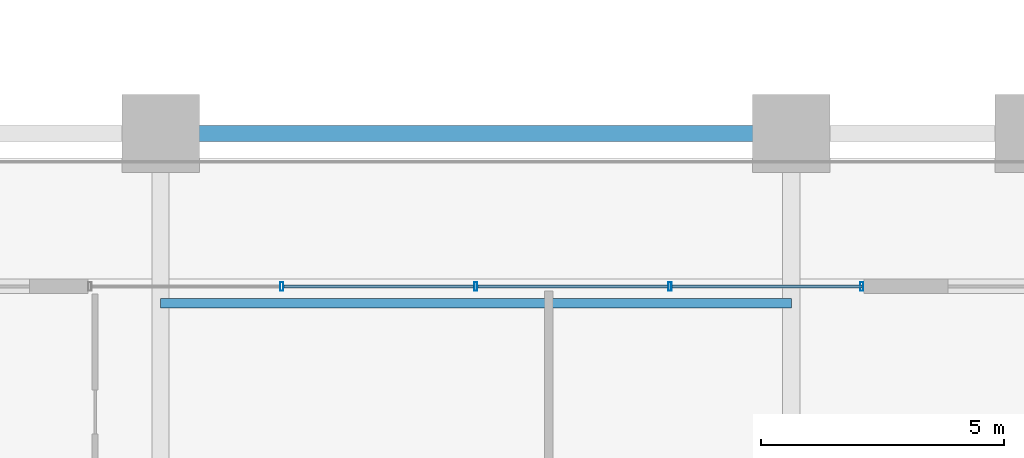
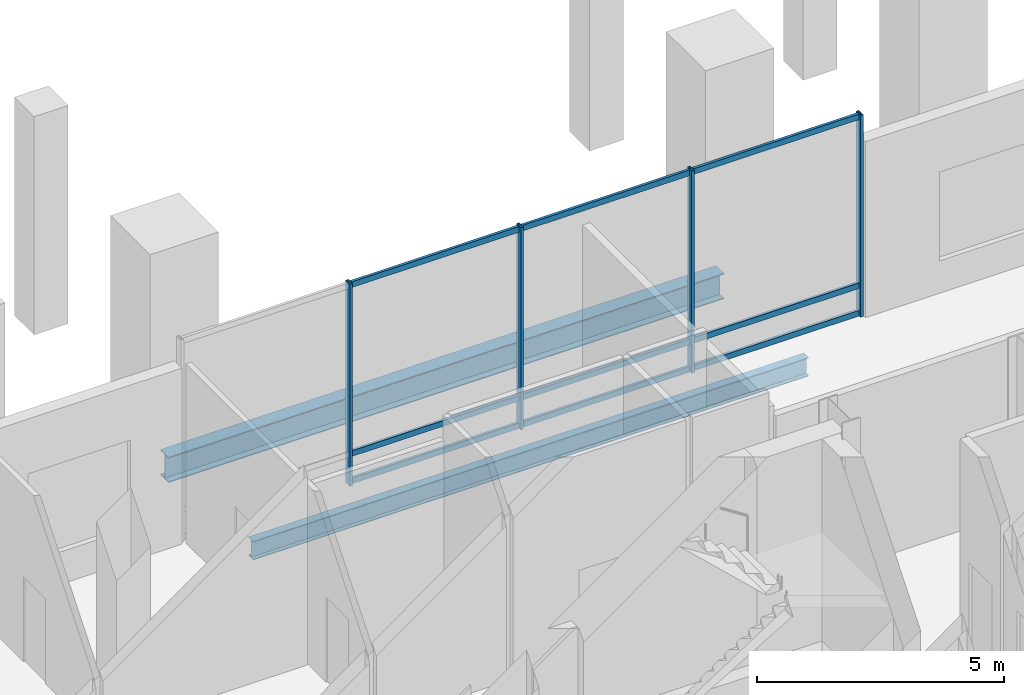
# One storey, part 10 of 25: 13 members, 2 beams, 1 element without a shape of its own.
"""IFC4 building model written with IfcOpenShell, lengths in metres."""

from ifc_helpers import new_model, si_unit, direction, frame, origin, origin_2d, place, context, subcontext, project, spatial, hollow_rectangle, i_section, extrude, material, layer, layer_set, material_profile, profile_set, type_object, element, aggregate, save


model = new_model("IFC4")

# Units and contexts
model_context = context("Model", 3, precision=1e-05, world=origin(), true_north=direction((0.0, 1.0)))
body_context = subcontext(model_context, "Body", "Model", "MODEL_VIEW")
ifc_project = project(units=[si_unit("LENGTHUNIT", "METRE"), si_unit("AREAUNIT", "SQUARE_METRE"), si_unit("VOLUMEUNIT", "CUBIC_METRE"), si_unit("PLANEANGLEUNIT", "RADIAN"), si_unit("MASSUNIT", "GRAM", prefix="KILO")], contexts=[model_context])

# Site, building, storey
site_placement = place(None, origin())
site = spatial("IfcSite", under=ifc_project, at=site_placement, CompositionType="ELEMENT")
building_placement = place(site_placement, origin())
building = spatial("IfcBuilding", under=site, at=building_placement, Name="Barlavira Tower and Art Museum", CompositionType="ELEMENT")
storey_placement = place(building_placement, frame((0.0, 0.0, 22.199951171875)))
storey = spatial("IfcBuildingStorey", under=building, at=storey_placement, Name="L04", CompositionType="ELEMENT", Elevation=22.199951171875)

# Curtain wall, members
ifc_material_1 = material(Name="Low-iron coastal laminated glass", Category="glass")
ifc_layer = layer(ifc_material_1, 0.179931640625, Name="Low-iron coastal laminated glass")
ifc_layer_set = layer_set([ifc_layer], Name="Low-iron coastal laminated glass")
curtain_wall_type = type_object("IfcCurtainWallType", Name="Pale-Metal Unitised Curtain Wall Zone 1", PredefinedType="NOTDEFINED", material=ifc_layer_set)
curtain_wall_placement = place(storey_placement, origin())
curtain_wall = element("IfcCurtainWall", 1, at=curtain_wall_placement, inside=storey, type_object=curtain_wall_type, Name="L04 Curtain Wall CW1-L04-N", PredefinedType="NOTDEFINED")
ifc_material_2 = material(Name="Pale anodised aluminium", Category="aluminium")
ifc_material_profile_1 = material_profile(ifc_material_2, hollow_rectangle(XDim=0.06494140625, YDim=0.179931640625, WallThickness=0.00390625, at=origin_2d()), Name="ALU-MULL 65x180x4")
ifc_profile_set_1 = profile_set([ifc_material_profile_1], Name="Pale anodised aluminium")
member_type_1 = type_object("IfcMemberType", Name="Curtain Wall Pale-Metal Mullion 65x180", PredefinedType="MULLION", material=ifc_profile_set_1)
member_1_placement = place(storey_placement, frame((7.955078125, 16.85009765625, 0.0), z_axis=(0.0, 0.0, 1.0), x_axis=(-1.0, 0.0, 0.0)))
member_1 = element("IfcMember", 2, at=member_1_placement, type_object=member_type_1, Name="CW1-L04-N Mullion 0", PredefinedType="MULLION", context=body_context, shape_type="SweptSolid", body=[
    extrude(hollow_rectangle(XDim=0.06494140625, YDim=0.179931640625, WallThickness=0.00390625, at=origin_2d()), origin(), (0.0, 0.0, 1.0), 5.0),
])
member_2_placement = place(storey_placement, frame((4.0, 16.85009765625, 0.0), z_axis=(0.0, 0.0, 1.0), x_axis=(-1.0, 0.0, 0.0)))
member_2 = element("IfcMember", 3, at=member_2_placement, type_object=member_type_1, Name="CW1-L04-N Mullion 1", PredefinedType="MULLION", context=body_context, shape_type="SweptSolid", body=[
    extrude(hollow_rectangle(XDim=0.06494140625, YDim=0.179931640625, WallThickness=0.00390625, at=origin_2d()), origin(), (0.0, 0.0, 1.0), 5.0),
])
member_3_placement = place(storey_placement, frame((0.0, 16.85009765625, 0.0), z_axis=(0.0, 0.0, 1.0), x_axis=(-1.0, 0.0, 0.0)))
member_3 = element("IfcMember", 4, at=member_3_placement, type_object=member_type_1, Name="CW1-L04-N Mullion 2", PredefinedType="MULLION", context=body_context, shape_type="SweptSolid", body=[
    extrude(hollow_rectangle(XDim=0.06494140625, YDim=0.179931640625, WallThickness=0.00390625, at=origin_2d()), origin(), (0.0, 0.0, 1.0), 5.0),
])
member_4_placement = place(storey_placement, frame((-4.0, 16.85009765625, 0.0), z_axis=(0.0, 0.0, 1.0), x_axis=(-1.0, 0.0, 0.0)))
member_4 = element("IfcMember", 5, at=member_4_placement, type_object=member_type_1, Name="CW1-L04-N Mullion 3", PredefinedType="MULLION", context=body_context, shape_type="SweptSolid", body=[
    extrude(hollow_rectangle(XDim=0.06494140625, YDim=0.179931640625, WallThickness=0.00390625, at=origin_2d()), origin(), (0.0, 0.0, 1.0), 5.0),
])
ifc_material_profile_2 = material_profile(ifc_material_2, hollow_rectangle(XDim=0.06494140625, YDim=0.139892578125, WallThickness=0.00390625, at=origin_2d()), Name="ALU-TRAN 65x140x4")
ifc_profile_set_2 = profile_set([ifc_material_profile_2], Name="Pale anodised aluminium")
member_type_2 = type_object("IfcMemberType", Name="Curtain Wall Pale-Metal Transom 65x140", PredefinedType="USERDEFINED", material=ifc_profile_set_2)
member_5_placement = place(storey_placement, frame((7.955078125, 16.85009765625, 0.070068359375), z_axis=(-1.0, 0.0, 0.0), x_axis=(0.0, -1.0, 0.0)))
member_5 = element("IfcMember", 6, at=member_5_placement, type_object=member_type_2, Name="CW1-L04-N Transom 0.1", ObjectType="TRANSOM", PredefinedType="USERDEFINED", context=body_context, shape_type="SweptSolid", body=[
    extrude(hollow_rectangle(XDim=0.06494140625, YDim=0.139892578125, WallThickness=0.00390625, at=origin_2d()), origin(), (0.0, 0.0, 1.0), 3.91015625),
])
member_6_placement = place(storey_placement, frame((7.955078125, 16.85009765625, 0.75), z_axis=(-1.0, 0.0, 0.0), x_axis=(0.0, -1.0, 0.0)))
member_6 = element("IfcMember", 7, at=member_6_placement, type_object=member_type_2, Name="CW1-L04-N Transom 0.2", ObjectType="TRANSOM", PredefinedType="USERDEFINED", context=body_context, shape_type="SweptSolid", body=[
    extrude(hollow_rectangle(XDim=0.06494140625, YDim=0.139892578125, WallThickness=0.00390625, at=origin_2d()), origin(), (0.0, 0.0, 1.0), 3.91015625),
])
member_7_placement = place(storey_placement, frame((7.955078125, 16.85009765625, 4.929931640625), z_axis=(-1.0, 0.0, 0.0), x_axis=(0.0, -1.0, 0.0)))
member_7 = element("IfcMember", 8, at=member_7_placement, type_object=member_type_2, Name="CW1-L04-N Transom 0.3", ObjectType="TRANSOM", PredefinedType="USERDEFINED", context=body_context, shape_type="SweptSolid", body=[
    extrude(hollow_rectangle(XDim=0.06494140625, YDim=0.139892578125, WallThickness=0.00390625, at=origin_2d()), origin(), (0.0, 0.0, 1.0), 3.91015625),
])
member_8_placement = place(storey_placement, frame((3.955078125, 16.85009765625, 0.070068359375), z_axis=(-1.0, 0.0, 0.0), x_axis=(0.0, -1.0, 0.0)))
member_8 = element("IfcMember", 9, at=member_8_placement, type_object=member_type_2, Name="CW1-L04-N Transom 1.1", ObjectType="TRANSOM", PredefinedType="USERDEFINED", context=body_context, shape_type="SweptSolid", body=[
    extrude(hollow_rectangle(XDim=0.06494140625, YDim=0.139892578125, WallThickness=0.00390625, at=origin_2d()), origin(), (0.0, 0.0, 1.0), 3.91015625),
])
member_9_placement = place(storey_placement, frame((3.955078125, 16.85009765625, 0.75), z_axis=(-1.0, 0.0, 0.0), x_axis=(0.0, -1.0, 0.0)))
member_9 = element("IfcMember", 10, at=member_9_placement, type_object=member_type_2, Name="CW1-L04-N Transom 1.2", ObjectType="TRANSOM", PredefinedType="USERDEFINED", context=body_context, shape_type="SweptSolid", body=[
    extrude(hollow_rectangle(XDim=0.06494140625, YDim=0.139892578125, WallThickness=0.00390625, at=origin_2d()), origin(), (0.0, 0.0, 1.0), 3.91015625),
])
member_10_placement = place(storey_placement, frame((3.955078125, 16.85009765625, 4.929931640625), z_axis=(-1.0, 0.0, 0.0), x_axis=(0.0, -1.0, 0.0)))
member_10 = element("IfcMember", 11, at=member_10_placement, type_object=member_type_2, Name="CW1-L04-N Transom 1.3", ObjectType="TRANSOM", PredefinedType="USERDEFINED", context=body_context, shape_type="SweptSolid", body=[
    extrude(hollow_rectangle(XDim=0.06494140625, YDim=0.139892578125, WallThickness=0.00390625, at=origin_2d()), origin(), (0.0, 0.0, 1.0), 3.91015625),
])
member_11_placement = place(storey_placement, frame((-0.044921875, 16.85009765625, 0.070068359375), z_axis=(-1.0, 0.0, 0.0), x_axis=(0.0, -1.0, 0.0)))
member_11 = element("IfcMember", 12, at=member_11_placement, type_object=member_type_2, Name="CW1-L04-N Transom 2.1", ObjectType="TRANSOM", PredefinedType="USERDEFINED", context=body_context, shape_type="SweptSolid", body=[
    extrude(hollow_rectangle(XDim=0.06494140625, YDim=0.139892578125, WallThickness=0.00390625, at=origin_2d()), origin(), (0.0, 0.0, 1.0), 3.91015625),
])
member_12_placement = place(storey_placement, frame((-0.044921875, 16.85009765625, 0.75), z_axis=(-1.0, 0.0, 0.0), x_axis=(0.0, -1.0, 0.0)))
member_12 = element("IfcMember", 13, at=member_12_placement, type_object=member_type_2, Name="CW1-L04-N Transom 2.2", ObjectType="TRANSOM", PredefinedType="USERDEFINED", context=body_context, shape_type="SweptSolid", body=[
    extrude(hollow_rectangle(XDim=0.06494140625, YDim=0.139892578125, WallThickness=0.00390625, at=origin_2d()), origin(), (0.0, 0.0, 1.0), 3.91015625),
])
member_13_placement = place(storey_placement, frame((-0.044921875, 16.85009765625, 4.929931640625), z_axis=(-1.0, 0.0, 0.0), x_axis=(0.0, -1.0, 0.0)))
member_13 = element("IfcMember", 14, at=member_13_placement, type_object=member_type_2, Name="CW1-L04-N Transom 2.3", ObjectType="TRANSOM", PredefinedType="USERDEFINED", context=body_context, shape_type="SweptSolid", body=[
    extrude(hollow_rectangle(XDim=0.06494140625, YDim=0.139892578125, WallThickness=0.00390625, at=origin_2d()), origin(), (0.0, 0.0, 1.0), 3.91015625),
])
aggregate(curtain_wall, [member_1, member_2, member_3, member_4, member_5, member_6, member_7, member_8, member_9, member_10, member_11, member_12, member_13])

# Beams
ifc_material_3 = material(Name="Steel S355", Category="steel")
ifc_material_profile_3 = material_profile(ifc_material_3, i_section(OverallWidth=0.327880859375, OverallDepth=0.62890625, WebThickness=0.013916015625, FlangeThickness=0.021484375, at=origin_2d()), Name="W610x174.0")
ifc_profile_set_3 = profile_set([ifc_material_profile_3], Name="Steel S355")
beam_type_1 = type_object("IfcBeamType", Name="Perimeter Spandrel Edge Beam W610x174 Steel S355", PredefinedType="SPANDREL", material=ifc_profile_set_3)
beam_1_placement = place(storey_placement, frame((-6.5, 20.0, -0.594482421875), z_axis=(1.0, 0.0, 0.0), x_axis=(0.0, 1.0, 0.0)))
element("IfcBeam", 15, at=beam_1_placement, inside=storey, type_object=beam_type_1, Name="L04 Podium Spandrel PN3", PredefinedType="SPANDREL", context=body_context, shape_type="SweptSolid", body=[
    extrude(i_section(OverallWidth=0.327880859375, OverallDepth=0.62890625, WebThickness=0.013916015625, FlangeThickness=0.021484375, at=origin_2d()), origin(), (0.0, 0.0, 1.0), 13.0),
])
ifc_material_profile_4 = material_profile(ifc_material_3, i_section(OverallWidth=0.19189453125, OverallDepth=0.462890625, WebThickness=0.010498046875, FlangeThickness=0.017578125, at=origin_2d()), Name="W460x89.0")
ifc_profile_set_4 = profile_set([ifc_material_profile_4], Name="Steel S355")
beam_type_2 = type_object("IfcBeamType", Name="Podium Floor Joist W460x89 Steel S355", PredefinedType="JOIST", material=ifc_profile_set_4)
beam_2_placement = place(storey_placement, frame((-6.5, 16.5, -0.511474609375), z_axis=(1.0, 0.0, 0.0), x_axis=(0.0, 1.0, 0.0)))
element("IfcBeam", 16, at=beam_2_placement, inside=storey, type_object=beam_type_2, Name="L04 Joist C2", PredefinedType="JOIST", context=body_context, shape_type="SweptSolid", body=[
    extrude(i_section(OverallWidth=0.19189453125, OverallDepth=0.462890625, WebThickness=0.010498046875, FlangeThickness=0.017578125, at=origin_2d()), origin(), (0.0, 0.0, 1.0), 13.0),
])

save(model, "model.ifc")
